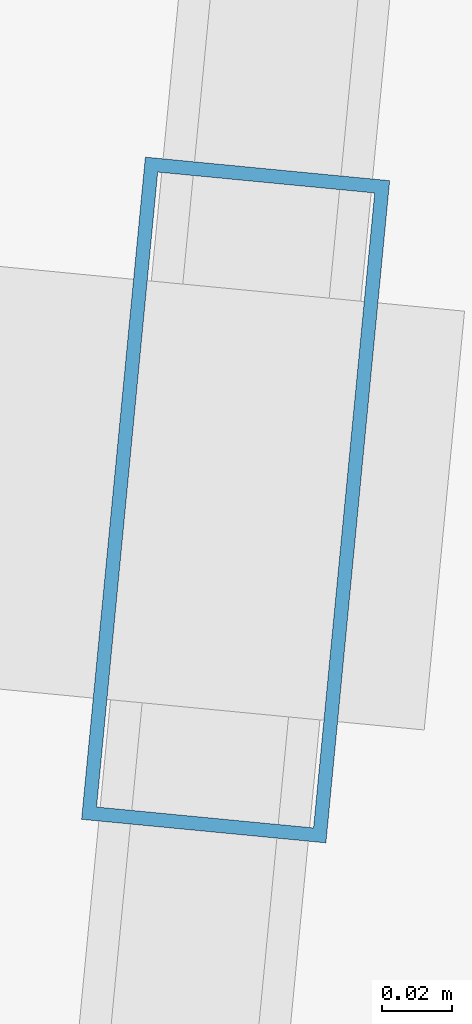
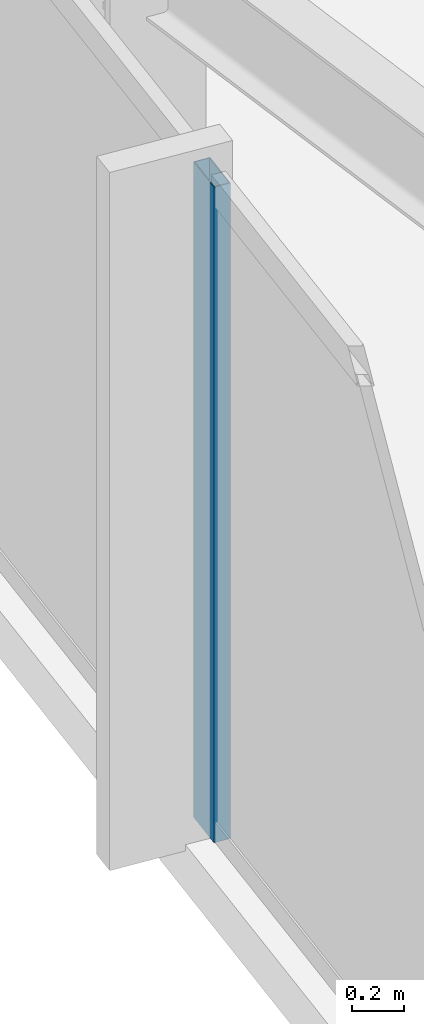
# One storey, part 4 of 38: 1 member, 1 element without a shape of its own.
"""IFC4 building model written with IfcOpenShell, lengths in metres."""

from ifc_helpers import new_model, si_unit, direction, frame, origin, origin_2d, place, context, subcontext, project, spatial, hollow_rectangle, extrude, material, material_profile, profile_set, type_object, element, aggregate, save


model = new_model("IFC4")

# Units and contexts
model_context = context("Model", 3, precision=1e-05, world=origin(), true_north=direction((0.0, 1.0)))
body_context = subcontext(model_context, "Body", "Model", "MODEL_VIEW")
ifc_project = project(units=[si_unit("LENGTHUNIT", "METRE"), si_unit("AREAUNIT", "SQUARE_METRE"), si_unit("VOLUMEUNIT", "CUBIC_METRE"), si_unit("PLANEANGLEUNIT", "RADIAN"), si_unit("MASSUNIT", "GRAM", prefix="KILO")], contexts=[model_context])

# Site, building, storey
site_placement = place(None, origin())
site = spatial("IfcSite", under=ifc_project, at=site_placement, CompositionType="ELEMENT")
building_placement = place(site_placement, origin())
building = spatial("IfcBuilding", under=site, at=building_placement, Name="Yelkora Congress Tower", CompositionType="ELEMENT")
storey_placement = place(building_placement, frame((0.0, 0.0, 178.699951171875)))
storey = spatial("IfcBuildingStorey", under=building, at=storey_placement, Name="L49", CompositionType="ELEMENT", Elevation=178.699951171875)

# Curtain wall, member
ifc_material_1 = material(Name="Anodised aluminium and insulated glass", Category="aluminium")
curtain_wall_type = type_object("IfcCurtainWallType", Name="CW-SYS-B3", PredefinedType="NOTDEFINED", material=ifc_material_1)
curtain_wall_placement = place(storey_placement, origin())
curtain_wall = element("IfcCurtainWall", 1, at=curtain_wall_placement, inside=storey, type_object=curtain_wall_type, Name="L49 Unitised Curtain Wall 5", PredefinedType="NOTDEFINED")
ifc_material_2 = material(Name="Anodised aluminium 6063-T6", Category="aluminium")
ifc_material_profile = material_profile(ifc_material_2, hollow_rectangle(XDim=0.070068359375, YDim=0.18994140625, WallThickness=0.00390625, at=origin_2d()), Name="ALU 70x190x4")
ifc_profile_set = profile_set([ifc_material_profile], Name="Anodised aluminium 6063-T6")
member_type = type_object("IfcMemberType", Name="MEM-ML-B3", PredefinedType="MULLION", material=ifc_profile_set)
member_placement = place(storey_placement, frame((1.9248046875, 22.962158203125, 0.0), z_axis=(0.0, 0.0, 1.0), x_axis=(-0.995396242473, 0.095845294465, 0.0)))
member = element("IfcMember", 2, at=member_placement, type_object=member_type, Name="CW-B3 mullion 2", PredefinedType="MULLION", context=body_context, shape_type="SweptSolid", body=[
    extrude(hollow_rectangle(XDim=0.070068359375, YDim=0.18994140625, WallThickness=0.00390625, at=origin_2d()), origin(), (0.0, 0.0, 1.0), 3.080078125),
])
aggregate(curtain_wall, [member])

save(model, "model.ifc")
